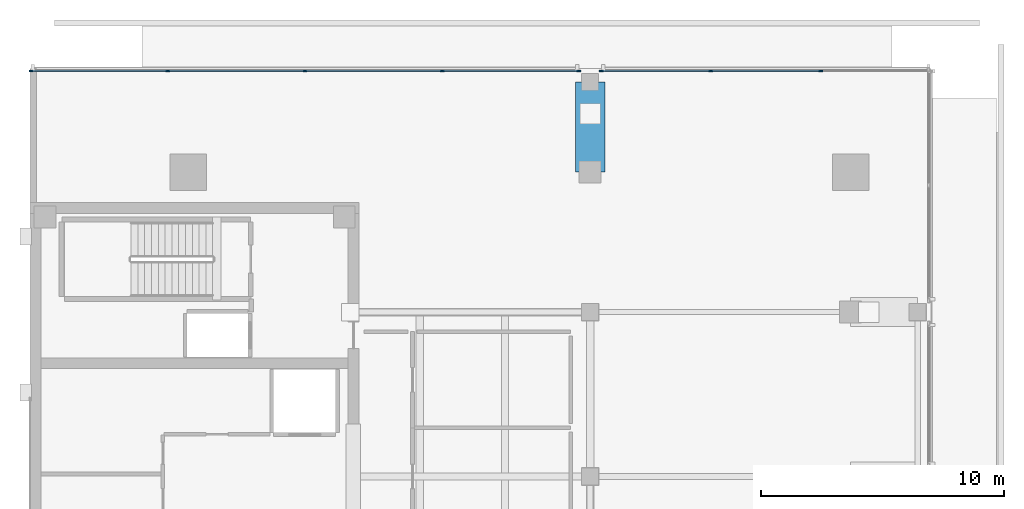
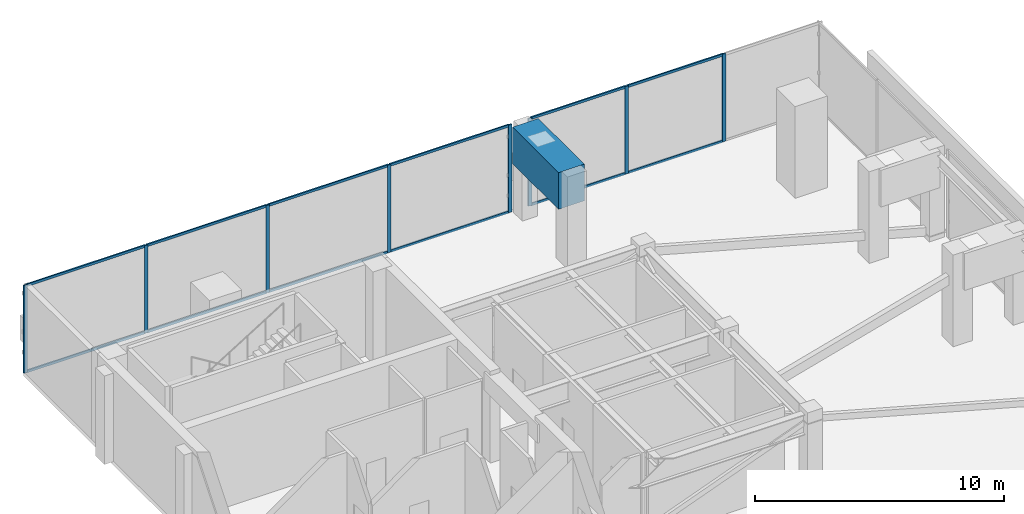
# One storey, part 5 of 13: 20 members, 1 beam, 2 elements without a shape of their own.
"""IFC4 building model written with IfcOpenShell, lengths in metres."""

from ifc_helpers import new_model, si_unit, direction, frame, origin, origin_2d, place, context, subcontext, project, spatial, rectangle, extrude, material, layer, layer_set, material_profile, profile_set, type_object, element, aggregate, save


model = new_model("IFC4")

# Units and contexts
model_context = context("Model", 3, precision=1e-05, world=origin(), true_north=direction((0.0, 1.0)))
body_context = subcontext(model_context, "Body", "Model", "MODEL_VIEW")
ifc_project = project(units=[si_unit("LENGTHUNIT", "METRE"), si_unit("AREAUNIT", "SQUARE_METRE"), si_unit("VOLUMEUNIT", "CUBIC_METRE"), si_unit("PLANEANGLEUNIT", "RADIAN"), si_unit("MASSUNIT", "GRAM", prefix="KILO")], contexts=[model_context])

# Site, building, storey
site_placement = place(None, origin())
site = spatial("IfcSite", under=ifc_project, at=site_placement, CompositionType="ELEMENT")
building_placement = place(site_placement, origin())
building = spatial("IfcBuilding", under=site, at=building_placement, Name="Kinhvarn Gate Tower", CompositionType="ELEMENT")
storey_placement = place(building_placement, frame((0.0, 0.0, 303.050048828125)))
storey = spatial("IfcBuildingStorey", under=building, at=storey_placement, Name="L80", CompositionType="ELEMENT", Elevation=303.050048828125)

# Beam
ifc_material_1 = material(Name="Concrete C50/60", Category="concrete")
ifc_material_profile_1 = material_profile(ifc_material_1, rectangle(XDim=1.199951171875, YDim=1.800048828125, at=origin_2d()), Name="RC 1200x1800")
ifc_profile_set_1 = profile_set([ifc_material_profile_1], Name="Concrete C50/60")
beam_type = type_object("IfcBeamType", Name="BM-TG-1800", PredefinedType="BEAM", material=ifc_profile_set_1)
beam_placement = place(storey_placement, frame((27.5, 37.75, 3.599853515625), z_axis=(0.0, 1.0, 0.0), x_axis=(-1.0, 0.0, 0.0)))
element("IfcBeam", 1, at=beam_placement, inside=storey, type_object=beam_type, Name="Setback Transfer Girder TG-03-L81-CCR-N1", PredefinedType="BEAM", context=body_context, shape_type="SweptSolid", body=[
    extrude(rectangle(XDim=1.199951171875, YDim=1.800048828125, at=origin_2d()), origin(), (0.0, 0.0, 1.0), 3.699951171875),
])

# Curtain wall, members
ifc_material_2 = material(Name="Anodised aluminium AW-6063", Category="aluminium")
ifc_layer = layer(ifc_material_2, 0.199951171875)
ifc_layer_set = layer_set([ifc_layer], Name="Anodised aluminium AW-6063")
curtain_wall_type = type_object("IfcCurtainWallType", Name="CW-SYS-6", PredefinedType="NOTDEFINED", material=ifc_layer_set)
curtain_wall_1_placement = place(storey_placement, origin())
curtain_wall_1 = element("IfcCurtainWall", 2, at=curtain_wall_1_placement, inside=storey, type_object=curtain_wall_type, Name="Curtain Wall CW6 (L80)", PredefinedType="NOTDEFINED")
ifc_material_profile_2 = material_profile(ifc_material_2, rectangle(XDim=0.06494140625, YDim=0.159912109375, at=origin_2d()), Name="ALU 65x160")
ifc_profile_set_2 = profile_set([ifc_material_profile_2], Name="Anodised aluminium AW-6063")
member_type_1 = type_object("IfcMemberType", Name="CW-MUL-160", PredefinedType="MULLION", material=ifc_profile_set_2)
member_1_placement = place(storey_placement, frame((36.9765625, 41.909912109375, 0.0), z_axis=(0.0, 0.0, 1.0), x_axis=(0.0, -1.0, 0.0)))
member_1 = element("IfcMember", 3, at=member_1_placement, type_object=member_type_1, Name="CW6 mullion 2", PredefinedType="MULLION", context=body_context, shape_type="SweptSolid", body=[
    extrude(rectangle(XDim=0.06494140625, YDim=0.159912109375, at=origin_2d()), origin(), (0.0, 0.0, 1.0), 4.300048828125),
])
member_2_placement = place(storey_placement, frame((32.453369140625, 41.909912109375, 0.0), z_axis=(0.0, 0.0, 1.0), x_axis=(0.0, -1.0, 0.0)))
member_2 = element("IfcMember", 4, at=member_2_placement, type_object=member_type_1, Name="CW6 mullion 3", PredefinedType="MULLION", context=body_context, shape_type="SweptSolid", body=[
    extrude(rectangle(XDim=0.06494140625, YDim=0.159912109375, at=origin_2d()), origin(), (0.0, 0.0, 1.0), 4.300048828125),
])
member_3_placement = place(storey_placement, frame((27.96240234375, 41.909912109375, 0.0), z_axis=(0.0, 0.0, 1.0), x_axis=(0.0, -1.0, 0.0)))
member_3 = element("IfcMember", 5, at=member_3_placement, type_object=member_type_1, Name="CW6 mullion 4", PredefinedType="MULLION", context=body_context, shape_type="SweptSolid", body=[
    extrude(rectangle(XDim=0.06494140625, YDim=0.159912109375, at=origin_2d()), origin(), (0.0, 0.0, 1.0), 4.300048828125),
])

curtain_wall_2_placement = place(storey_placement, origin())
curtain_wall_2 = element("IfcCurtainWall", 6, at=curtain_wall_2_placement, inside=storey, type_object=curtain_wall_type, Name="Curtain Wall CW6 (L80)", PredefinedType="NOTDEFINED")
member_4_placement = place(storey_placement, frame((27.03759765625, 41.909912109375, 0.0), z_axis=(0.0, 0.0, 1.0), x_axis=(0.0, -1.0, 0.0)))
member_4 = element("IfcMember", 7, at=member_4_placement, type_object=member_type_1, Name="CW6 mullion 1", PredefinedType="MULLION", context=body_context, shape_type="SweptSolid", body=[
    extrude(rectangle(XDim=0.06494140625, YDim=0.159912109375, at=origin_2d()), origin(), (0.0, 0.0, 1.0), 4.300048828125),
])
member_5_placement = place(storey_placement, frame((21.427490234375, 41.909912109375, 0.0), z_axis=(0.0, 0.0, 1.0), x_axis=(0.0, -1.0, 0.0)))
member_5 = element("IfcMember", 8, at=member_5_placement, type_object=member_type_1, Name="CW6 mullion 2", PredefinedType="MULLION", context=body_context, shape_type="SweptSolid", body=[
    extrude(rectangle(XDim=0.06494140625, YDim=0.159912109375, at=origin_2d()), origin(), (0.0, 0.0, 1.0), 4.300048828125),
])
member_6_placement = place(storey_placement, frame((15.784912109375, 41.909912109375, 0.0), z_axis=(0.0, 0.0, 1.0), x_axis=(0.0, -1.0, 0.0)))
member_6 = element("IfcMember", 9, at=member_6_placement, type_object=member_type_1, Name="CW6 mullion 3", PredefinedType="MULLION", context=body_context, shape_type="SweptSolid", body=[
    extrude(rectangle(XDim=0.06494140625, YDim=0.159912109375, at=origin_2d()), origin(), (0.0, 0.0, 1.0), 4.300048828125),
])
member_7_placement = place(storey_placement, frame((10.142578125, 41.909912109375, 0.0), z_axis=(0.0, 0.0, 1.0), x_axis=(0.0, -1.0, 0.0)))
member_7 = element("IfcMember", 10, at=member_7_placement, type_object=member_type_1, Name="CW6 mullion 4", PredefinedType="MULLION", context=body_context, shape_type="SweptSolid", body=[
    extrude(rectangle(XDim=0.06494140625, YDim=0.159912109375, at=origin_2d()), origin(), (0.0, 0.0, 1.0), 4.300048828125),
])
member_8_placement = place(storey_placement, frame((4.532470703125, 41.909912109375, 0.0), z_axis=(0.0, 0.0, 1.0), x_axis=(0.0, -1.0, 0.0)))
member_8 = element("IfcMember", 11, at=member_8_placement, type_object=member_type_1, Name="CW6 mullion 5", PredefinedType="MULLION", context=body_context, shape_type="SweptSolid", body=[
    extrude(rectangle(XDim=0.06494140625, YDim=0.159912109375, at=origin_2d()), origin(), (0.0, 0.0, 1.0), 4.300048828125),
])

# Member
ifc_material_profile_3 = material_profile(ifc_material_2, rectangle(XDim=0.06494140625, YDim=0.1201171875, at=origin_2d()), Name="ALU 65x120")
ifc_profile_set_3 = profile_set([ifc_material_profile_3], Name="Anodised aluminium AW-6063")
member_type_2 = type_object("IfcMemberType", Name="CW-TRN-120", PredefinedType="USERDEFINED", material=ifc_profile_set_3)
member_9_placement = place(storey_placement, frame((36.944091796875, 41.909912109375, 0.032470703125), z_axis=(-1.0, 0.0, 0.0), x_axis=(0.0, -1.0, 0.0)))
member_9 = element("IfcMember", 12, at=member_9_placement, type_object=member_type_2, Name="CW6 transom 2.1", ObjectType="TRANSOM", PredefinedType="USERDEFINED", context=body_context, shape_type="SweptSolid", body=[
    extrude(rectangle(XDim=0.06494140625, YDim=0.1201171875, at=origin_2d()), origin(), (0.0, 0.0, 1.0), 4.458251953125),
])

member_10_placement = place(storey_placement, frame((36.944091796875, 41.909912109375, 4.267333984375), z_axis=(-1.0, 0.0, 0.0), x_axis=(0.0, -1.0, 0.0)))
member_10 = element("IfcMember", 13, at=member_10_placement, type_object=member_type_2, Name="CW6 transom 2.2", ObjectType="TRANSOM", PredefinedType="USERDEFINED", context=body_context, shape_type="SweptSolid", body=[
    extrude(rectangle(XDim=0.06494140625, YDim=0.1201171875, at=origin_2d()), origin(), (0.0, 0.0, 1.0), 4.458251953125),
])

member_11_placement = place(storey_placement, frame((32.4208984375, 41.909912109375, 0.032470703125), z_axis=(-1.0, 0.0, 0.0), x_axis=(0.0, -1.0, 0.0)))
member_11 = element("IfcMember", 14, at=member_11_placement, type_object=member_type_2, Name="CW6 transom 3.1", ObjectType="TRANSOM", PredefinedType="USERDEFINED", context=body_context, shape_type="SweptSolid", body=[
    extrude(rectangle(XDim=0.06494140625, YDim=0.1201171875, at=origin_2d()), origin(), (0.0, 0.0, 1.0), 4.42578125),
])

member_12_placement = place(storey_placement, frame((32.4208984375, 41.909912109375, 4.267333984375), z_axis=(-1.0, 0.0, 0.0), x_axis=(0.0, -1.0, 0.0)))
member_12 = element("IfcMember", 15, at=member_12_placement, type_object=member_type_2, Name="CW6 transom 3.2", ObjectType="TRANSOM", PredefinedType="USERDEFINED", context=body_context, shape_type="SweptSolid", body=[
    extrude(rectangle(XDim=0.06494140625, YDim=0.1201171875, at=origin_2d()), origin(), (0.0, 0.0, 1.0), 4.42578125),
])

aggregate(curtain_wall_1, [member_1, member_2, member_3, member_9, member_10, member_11, member_12])

member_13_placement = place(storey_placement, frame((27.0048828125, 41.909912109375, 0.032470703125), z_axis=(-1.0, 0.0, 0.0), x_axis=(0.0, -1.0, 0.0)))
member_13 = element("IfcMember", 16, at=member_13_placement, type_object=member_type_2, Name="CW6 transom 1.1", ObjectType="TRANSOM", PredefinedType="USERDEFINED", context=body_context, shape_type="SweptSolid", body=[
    extrude(rectangle(XDim=0.06494140625, YDim=0.1201171875, at=origin_2d()), origin(), (0.0, 0.0, 1.0), 5.544921875),
])

member_14_placement = place(storey_placement, frame((27.0048828125, 41.909912109375, 4.267333984375), z_axis=(-1.0, 0.0, 0.0), x_axis=(0.0, -1.0, 0.0)))
member_14 = element("IfcMember", 17, at=member_14_placement, type_object=member_type_2, Name="CW6 transom 1.2", ObjectType="TRANSOM", PredefinedType="USERDEFINED", context=body_context, shape_type="SweptSolid", body=[
    extrude(rectangle(XDim=0.06494140625, YDim=0.1201171875, at=origin_2d()), origin(), (0.0, 0.0, 1.0), 5.544921875),
])

member_15_placement = place(storey_placement, frame((21.39501953125, 41.909912109375, 0.032470703125), z_axis=(-1.0, 0.0, 0.0), x_axis=(0.0, -1.0, 0.0)))
member_15 = element("IfcMember", 18, at=member_15_placement, type_object=member_type_2, Name="CW6 transom 2.1", ObjectType="TRANSOM", PredefinedType="USERDEFINED", context=body_context, shape_type="SweptSolid", body=[
    extrude(rectangle(XDim=0.06494140625, YDim=0.1201171875, at=origin_2d()), origin(), (0.0, 0.0, 1.0), 5.57763671875),
])

member_16_placement = place(storey_placement, frame((21.39501953125, 41.909912109375, 4.267333984375), z_axis=(-1.0, 0.0, 0.0), x_axis=(0.0, -1.0, 0.0)))
member_16 = element("IfcMember", 19, at=member_16_placement, type_object=member_type_2, Name="CW6 transom 2.2", ObjectType="TRANSOM", PredefinedType="USERDEFINED", context=body_context, shape_type="SweptSolid", body=[
    extrude(rectangle(XDim=0.06494140625, YDim=0.1201171875, at=origin_2d()), origin(), (0.0, 0.0, 1.0), 5.57763671875),
])

member_17_placement = place(storey_placement, frame((15.75244140625, 41.909912109375, 0.032470703125), z_axis=(-1.0, 0.0, 0.0), x_axis=(0.0, -1.0, 0.0)))
member_17 = element("IfcMember", 20, at=member_17_placement, type_object=member_type_2, Name="CW6 transom 3.1", ObjectType="TRANSOM", PredefinedType="USERDEFINED", context=body_context, shape_type="SweptSolid", body=[
    extrude(rectangle(XDim=0.06494140625, YDim=0.1201171875, at=origin_2d()), origin(), (0.0, 0.0, 1.0), 5.577392578125),
])

member_18_placement = place(storey_placement, frame((15.75244140625, 41.909912109375, 4.267333984375), z_axis=(-1.0, 0.0, 0.0), x_axis=(0.0, -1.0, 0.0)))
member_18 = element("IfcMember", 21, at=member_18_placement, type_object=member_type_2, Name="CW6 transom 3.2", ObjectType="TRANSOM", PredefinedType="USERDEFINED", context=body_context, shape_type="SweptSolid", body=[
    extrude(rectangle(XDim=0.06494140625, YDim=0.1201171875, at=origin_2d()), origin(), (0.0, 0.0, 1.0), 5.577392578125),
])

member_19_placement = place(storey_placement, frame((10.110107421875, 41.909912109375, 0.032470703125), z_axis=(-1.0, 0.0, 0.0), x_axis=(0.0, -1.0, 0.0)))
member_19 = element("IfcMember", 22, at=member_19_placement, type_object=member_type_2, Name="CW6 transom 4.1", ObjectType="TRANSOM", PredefinedType="USERDEFINED", context=body_context, shape_type="SweptSolid", body=[
    extrude(rectangle(XDim=0.06494140625, YDim=0.1201171875, at=origin_2d()), origin(), (0.0, 0.0, 1.0), 5.545166015625),
])

member_20_placement = place(storey_placement, frame((10.110107421875, 41.909912109375, 4.267333984375), z_axis=(-1.0, 0.0, 0.0), x_axis=(0.0, -1.0, 0.0)))
member_20 = element("IfcMember", 23, at=member_20_placement, type_object=member_type_2, Name="CW6 transom 4.2", ObjectType="TRANSOM", PredefinedType="USERDEFINED", context=body_context, shape_type="SweptSolid", body=[
    extrude(rectangle(XDim=0.06494140625, YDim=0.1201171875, at=origin_2d()), origin(), (0.0, 0.0, 1.0), 5.545166015625),
])

aggregate(curtain_wall_2, [member_4, member_5, member_6, member_7, member_8, member_13, member_14, member_15, member_16, member_17, member_18, member_19, member_20])

save(model, "model.ifc")
